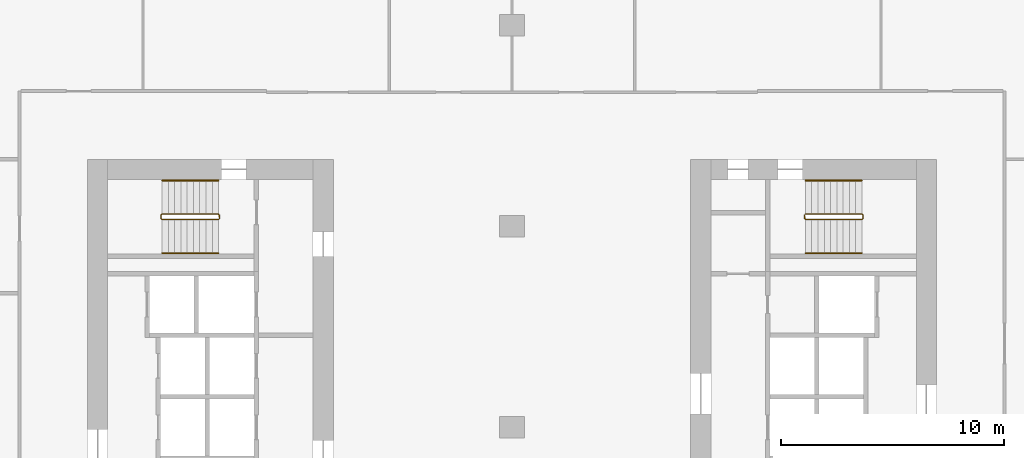
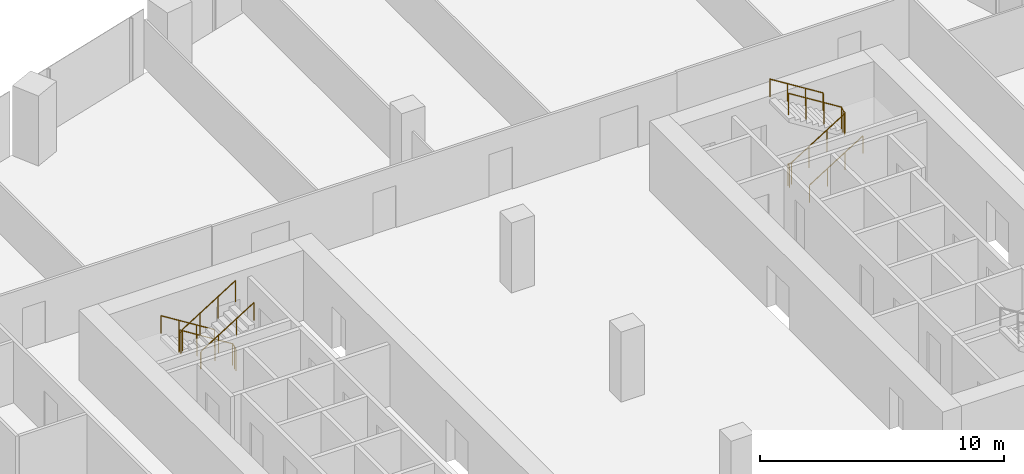
# One storey, part 31 of 31: 6 railings.
"""IFC4 building model written with IfcOpenShell, lengths in metres."""

from ifc_helpers import new_model, si_unit, direction, frame, origin, origin_2d, place, context, subcontext, project, spatial, circle, extrude, material, type_object, element, save


model = new_model("IFC4")

# Units and contexts
model_context = context("Model", 3, precision=1e-05, world=origin(), true_north=direction((0.0, 1.0)))
body_context = subcontext(model_context, "Body", "Model", "MODEL_VIEW")
ifc_project = project(units=[si_unit("LENGTHUNIT", "METRE"), si_unit("AREAUNIT", "SQUARE_METRE"), si_unit("VOLUMEUNIT", "CUBIC_METRE"), si_unit("PLANEANGLEUNIT", "RADIAN"), si_unit("MASSUNIT", "GRAM", prefix="KILO")], contexts=[model_context])

# Site, building, storey
site_placement = place(None, origin())
site = spatial("IfcSite", under=ifc_project, at=site_placement, CompositionType="ELEMENT")
building_placement = place(site_placement, origin())
building = spatial("IfcBuilding", under=site, at=building_placement, Name="Orlundy Tower", CompositionType="ELEMENT")
storey_placement = place(building_placement, frame((0.0, 0.0, 91.199951171875)))
storey = spatial("IfcBuildingStorey", under=building, at=storey_placement, Name="L22", CompositionType="ELEMENT", Elevation=91.199951171875)

# Railings
ifc_material_1 = material(Name="Steel balustrade", Category="steel")
railing_type_1 = type_object("IfcRailingType", Name="Stair Guard 1100", PredefinedType="GUARDRAIL", material=ifc_material_1)
railing_1_placement = place(storey_placement, frame((-13.090087890625, 9.5, 0.0)))
element("IfcRailing", 1, at=railing_1_placement, inside=storey, type_object=railing_type_1, Name="L22 ST-W1 stair guard 1", PredefinedType="GUARDRAIL", context=body_context, shape_type="SweptSolid", body=[
    extrude(circle(Radius=0.02392578125, at=origin_2d()), frame((0.0, 0.0, 1.076171875), z_axis=(0.0, -1.0, 0.0), x_axis=(1.0, 0.0, 0.0)), (0.0, 0.0, 1.0), 0.14990234375),
    extrude(circle(Radius=0.02392578125, at=origin_2d()), frame((0.0, -0.14990234375, 1.076171875), z_axis=(-0.18420542264, 0.739530593833, 0.647427882513), x_axis=(-0.970351222016, -0.241699205484, 0.0)), (0.0, 0.0, 1.0), 0.270263671875),
    extrude(circle(Radius=0.02392578125, at=origin_2d()), frame((-0.0498046875, 0.050048828125, 1.2509765625), z_axis=(-0.848007534815, 0.0, 0.529984170421), x_axis=(0.0, -1.0, 0.0)), (0.0, 0.0, 1.0), 2.9716796875),
    extrude(circle(Radius=0.02392578125, at=origin_2d()), frame((-2.56982421875, 0.050048828125, 2.826171875), z_axis=(-0.707106781187, -0.707106781187, 0.0), x_axis=(0.707106781187, -0.707106781187, 0.0)), (0.0, 0.0, 1.0), 0.07080078125),
    extrude(circle(Radius=0.02392578125, at=origin_2d()), frame((-2.619873046875, 0.0, 2.826171875), z_axis=(0.0, -1.0, 0.0), x_axis=(1.0, 0.0, 0.0)), (0.0, 0.0, 1.0), 0.14990234375),
    extrude(circle(Radius=0.02392578125, at=origin_2d()), frame((-2.619873046875, -0.14990234375, 2.826171875), z_axis=(0.265065253269, -0.265065253269, 0.927081885822), x_axis=(0.707106781187, 0.707106781187, 0.0)), (0.0, 0.0, 1.0), 0.188720703125),
    extrude(circle(Radius=0.02392578125, at=origin_2d()), frame((-2.56982421875, -0.199951171875, 3.0009765625), z_axis=(0.848007534815, 0.0, 0.529984170421), x_axis=(0.0, 1.0, 0.0)), (0.0, 0.0, 1.0), 2.9716796875),
    extrude(circle(Radius=0.02099609375, at=origin_2d()), origin(), (0.0, 0.0, 1.0), 1.052001953125),
    extrude(circle(Radius=0.02099609375, at=origin_2d()), frame((0.0, -0.14990234375, 0.0)), (0.0, 0.0, 1.0), 1.052001953125),
    extrude(circle(Radius=0.02099609375, at=origin_2d()), frame((-0.0498046875, 0.050048828125, 0.175048828125)), (0.0, 0.0, 1.0), 1.052001953125),
    extrude(circle(Radius=0.02099609375, at=origin_2d()), frame((-0.889892578125, 0.050048828125, 0.699951171875)), (0.0, 0.0, 1.0), 1.052001953125),
    extrude(circle(Radius=0.02099609375, at=origin_2d()), frame((-1.729736328125, 0.050048828125, 1.22509765625)), (0.0, 0.0, 1.0), 1.052001953125),
    extrude(circle(Radius=0.02099609375, at=origin_2d()), frame((-2.56982421875, 0.050048828125, 1.75)), (0.0, 0.0, 1.0), 1.052001953125),
    extrude(circle(Radius=0.02099609375, at=origin_2d()), frame((-2.619873046875, 0.0, 1.75)), (0.0, 0.0, 1.0), 1.052001953125),
    extrude(circle(Radius=0.02099609375, at=origin_2d()), frame((-2.619873046875, -0.14990234375, 1.75)), (0.0, 0.0, 1.0), 1.052001953125),
    extrude(circle(Radius=0.02099609375, at=origin_2d()), frame((-2.56982421875, -0.199951171875, 1.925048828125)), (0.0, 0.0, 1.0), 1.052001953125),
    extrude(circle(Radius=0.02099609375, at=origin_2d()), frame((-1.729736328125, -0.199951171875, 2.449951171875)), (0.0, 0.0, 1.0), 1.052001953125),
    extrude(circle(Radius=0.02099609375, at=origin_2d()), frame((-0.889892578125, -0.199951171875, 2.97509765625)), (0.0, 0.0, 1.0), 1.052001953125),
    extrude(circle(Radius=0.02099609375, at=origin_2d()), frame((-0.0498046875, -0.199951171875, 3.5)), (0.0, 0.0, 1.0), 1.052001953125),
])
railing_2_placement = place(storey_placement, frame((13.090087890625, 9.35009765625, 0.0)))
element("IfcRailing", 2, at=railing_2_placement, inside=storey, type_object=railing_type_1, Name="L22 ST-E2 stair guard 1", PredefinedType="GUARDRAIL", context=body_context, shape_type="SweptSolid", body=[
    extrude(circle(Radius=0.02392578125, at=origin_2d()), frame((0.0, 0.0, 1.076171875), z_axis=(0.0, 1.0, 0.0), x_axis=(-1.0, 0.0, 0.0)), (0.0, 0.0, 1.0), 0.14990234375),
    extrude(circle(Radius=0.02392578125, at=origin_2d()), frame((0.0, 0.14990234375, 1.076171875), z_axis=(0.18420542264, -0.739530593833, 0.647427882513), x_axis=(0.970351222016, 0.241699205484, 0.0)), (0.0, 0.0, 1.0), 0.270263671875),
    extrude(circle(Radius=0.02392578125, at=origin_2d()), frame((0.0498046875, -0.050048828125, 1.2509765625), z_axis=(0.848007534815, 0.0, 0.529984170421), x_axis=(0.0, 1.0, 0.0)), (0.0, 0.0, 1.0), 2.9716796875),
    extrude(circle(Radius=0.02392578125, at=origin_2d()), frame((2.56982421875, -0.050048828125, 2.826171875), z_axis=(0.707106781187, 0.707106781187, 0.0), x_axis=(-0.707106781187, 0.707106781187, 0.0)), (0.0, 0.0, 1.0), 0.07080078125),
    extrude(circle(Radius=0.02392578125, at=origin_2d()), frame((2.619873046875, 0.0, 2.826171875), z_axis=(0.0, 1.0, 0.0), x_axis=(-1.0, 0.0, 0.0)), (0.0, 0.0, 1.0), 0.14990234375),
    extrude(circle(Radius=0.02392578125, at=origin_2d()), frame((2.619873046875, 0.14990234375, 2.826171875), z_axis=(-0.265065253269, 0.265065253269, 0.927081885822), x_axis=(-0.707106781187, -0.707106781187, 0.0)), (0.0, 0.0, 1.0), 0.188720703125),
    extrude(circle(Radius=0.02392578125, at=origin_2d()), frame((2.56982421875, 0.199951171875, 3.0009765625), z_axis=(-0.848007534815, 0.0, 0.529984170421), x_axis=(0.0, -1.0, 0.0)), (0.0, 0.0, 1.0), 2.9716796875),
    extrude(circle(Radius=0.02099609375, at=origin_2d()), origin(), (0.0, 0.0, 1.0), 1.052001953125),
    extrude(circle(Radius=0.02099609375, at=origin_2d()), frame((0.0, 0.14990234375, 0.0)), (0.0, 0.0, 1.0), 1.052001953125),
    extrude(circle(Radius=0.02099609375, at=origin_2d()), frame((0.0498046875, -0.050048828125, 0.175048828125)), (0.0, 0.0, 1.0), 1.052001953125),
    extrude(circle(Radius=0.02099609375, at=origin_2d()), frame((0.889892578125, -0.050048828125, 0.699951171875)), (0.0, 0.0, 1.0), 1.052001953125),
    extrude(circle(Radius=0.02099609375, at=origin_2d()), frame((1.729736328125, -0.050048828125, 1.22509765625)), (0.0, 0.0, 1.0), 1.052001953125),
    extrude(circle(Radius=0.02099609375, at=origin_2d()), frame((2.56982421875, -0.050048828125, 1.75)), (0.0, 0.0, 1.0), 1.052001953125),
    extrude(circle(Radius=0.02099609375, at=origin_2d()), frame((2.619873046875, 0.0, 1.75)), (0.0, 0.0, 1.0), 1.052001953125),
    extrude(circle(Radius=0.02099609375, at=origin_2d()), frame((2.619873046875, 0.14990234375, 1.75)), (0.0, 0.0, 1.0), 1.052001953125),
    extrude(circle(Radius=0.02099609375, at=origin_2d()), frame((2.56982421875, 0.199951171875, 1.925048828125)), (0.0, 0.0, 1.0), 1.052001953125),
    extrude(circle(Radius=0.02099609375, at=origin_2d()), frame((1.729736328125, 0.199951171875, 2.449951171875)), (0.0, 0.0, 1.0), 1.052001953125),
    extrude(circle(Radius=0.02099609375, at=origin_2d()), frame((0.889892578125, 0.199951171875, 2.97509765625)), (0.0, 0.0, 1.0), 1.052001953125),
    extrude(circle(Radius=0.02099609375, at=origin_2d()), frame((0.0498046875, 0.199951171875, 3.5)), (0.0, 0.0, 1.0), 1.052001953125),
])
ifc_material_2 = material(Name="Steel handrail", Category="steel")
railing_type_2 = type_object("IfcRailingType", Name="Stair Handrail 900", PredefinedType="HANDRAIL", material=ifc_material_2)
railing_3_placement = place(storey_placement, frame((-13.139892578125, 11.050048828125, 0.175048828125)))
element("IfcRailing", 3, at=railing_3_placement, inside=storey, type_object=railing_type_2, Name="L22 ST-W1 stair handrail 1", PredefinedType="HANDRAIL", context=body_context, shape_type="SweptSolid", body=[
    extrude(circle(Radius=0.02392578125, at=origin_2d()), frame((0.0, 0.0, 0.8759765625), z_axis=(-0.848007534815, 0.0, 0.529984170421), x_axis=(0.0, -1.0, 0.0)), (0.0, 0.0, 1.0), 2.9716796875),
    extrude(circle(Radius=0.02099609375, at=origin_2d()), origin(), (0.0, 0.0, 1.0), 0.851806640625),
    extrude(circle(Radius=0.02099609375, at=origin_2d()), frame((-0.840087890625, 0.0, 0.52490234375)), (0.0, 0.0, 1.0), 0.851806640625),
    extrude(circle(Radius=0.02099609375, at=origin_2d()), frame((-1.679931640625, 0.0, 1.050048828125)), (0.0, 0.0, 1.0), 0.851806640625),
    extrude(circle(Radius=0.02099609375, at=origin_2d()), frame((-2.52001953125, 0.0, 1.574951171875)), (0.0, 0.0, 1.0), 0.851806640625),
])
for number, where, name in (
    (4, (-15.659912109375, 7.800048828125, 1.925048828125), "L22 ST-W1 stair handrail 2"),
    (5, (13.139892578125, 7.800048828125, 0.175048828125), "L22 ST-E2 stair handrail 1"),
):
    element("IfcRailing", number, at=place(storey_placement, frame(where)), inside=storey, type_object=railing_type_2, Name=name, PredefinedType="HANDRAIL", context=body_context, shape_type="SweptSolid", body=[
        extrude(circle(Radius=0.02392578125, at=origin_2d()), frame((0.0, 0.0, 0.8759765625), z_axis=(0.848007534815, 0.0, 0.529984170421), x_axis=(0.0, 1.0, 0.0)), (0.0, 0.0, 1.0), 2.9716796875),
        extrude(circle(Radius=0.02099609375, at=origin_2d()), origin(), (0.0, 0.0, 1.0), 0.851806640625),
        extrude(circle(Radius=0.02099609375, at=origin_2d()), frame((0.840087890625, 0.0, 0.52490234375)), (0.0, 0.0, 1.0), 0.851806640625),
        extrude(circle(Radius=0.02099609375, at=origin_2d()), frame((1.679931640625, 0.0, 1.050048828125)), (0.0, 0.0, 1.0), 0.851806640625),
        extrude(circle(Radius=0.02099609375, at=origin_2d()), frame((2.52001953125, 0.0, 1.574951171875)), (0.0, 0.0, 1.0), 0.851806640625),
    ])
railing_4_placement = place(storey_placement, frame((15.659912109375, 11.050048828125, 1.925048828125)))
element("IfcRailing", 6, at=railing_4_placement, inside=storey, type_object=railing_type_2, Name="L22 ST-E2 stair handrail 2", PredefinedType="HANDRAIL", context=body_context, shape_type="SweptSolid", body=[
    extrude(circle(Radius=0.02392578125, at=origin_2d()), frame((0.0, 0.0, 0.8759765625), z_axis=(-0.848007534815, 0.0, 0.529984170421), x_axis=(0.0, -1.0, 0.0)), (0.0, 0.0, 1.0), 2.9716796875),
    extrude(circle(Radius=0.02099609375, at=origin_2d()), origin(), (0.0, 0.0, 1.0), 0.851806640625),
    extrude(circle(Radius=0.02099609375, at=origin_2d()), frame((-0.840087890625, 0.0, 0.52490234375)), (0.0, 0.0, 1.0), 0.851806640625),
    extrude(circle(Radius=0.02099609375, at=origin_2d()), frame((-1.679931640625, 0.0, 1.050048828125)), (0.0, 0.0, 1.0), 0.851806640625),
    extrude(circle(Radius=0.02099609375, at=origin_2d()), frame((-2.52001953125, 0.0, 1.574951171875)), (0.0, 0.0, 1.0), 0.851806640625),
])

save(model, "model.ifc")
